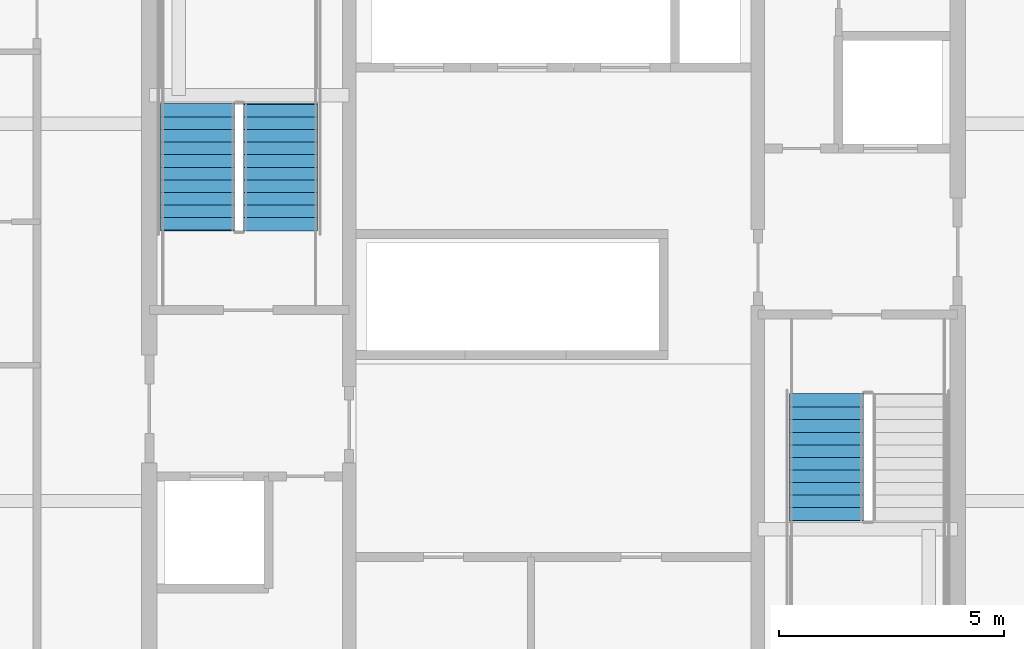
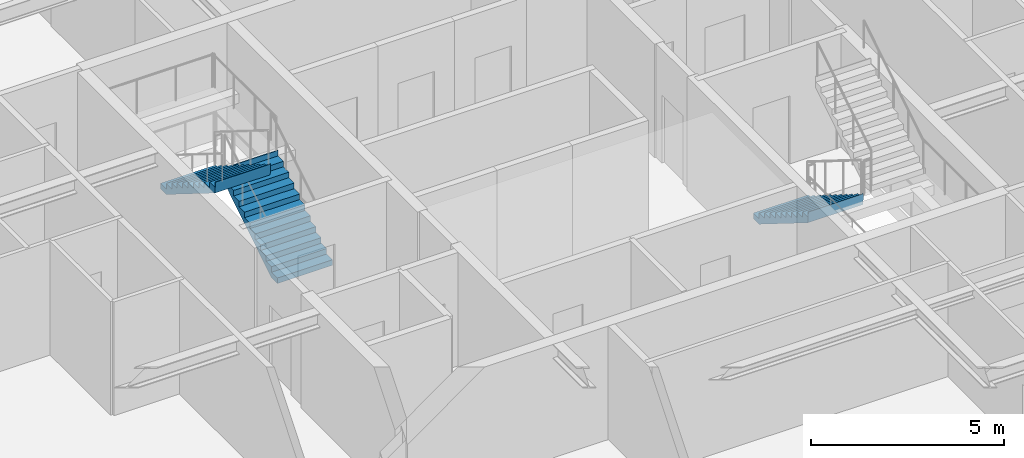
# One storey, part 29 of 35: 3 stair flights, 2 elements without a shape of their own.
"""IFC4 building model written with IfcOpenShell, lengths in metres."""

from ifc_helpers import new_model, si_unit, direction, frame, origin, place, context, subcontext, project, spatial, polygons, material, type_object, element, aggregate, save


model = new_model("IFC4")

# Units and contexts
model_context = context("Model", 3, precision=1e-05, world=origin(), true_north=direction((0.0, 1.0)))
body_context = subcontext(model_context, "Body", "Model", "MODEL_VIEW")
ifc_project = project(units=[si_unit("LENGTHUNIT", "METRE"), si_unit("AREAUNIT", "SQUARE_METRE"), si_unit("VOLUMEUNIT", "CUBIC_METRE"), si_unit("PLANEANGLEUNIT", "RADIAN"), si_unit("MASSUNIT", "GRAM", prefix="KILO")], contexts=[model_context])

# Site, building, storey
site_placement = place(None, origin())
site = spatial("IfcSite", under=ifc_project, at=site_placement, CompositionType="ELEMENT")
building_placement = place(site_placement, origin())
building = spatial("IfcBuilding", under=site, at=building_placement, Name="Serunith Strait Residences", CompositionType="ELEMENT")
storey_placement = place(building_placement, frame((0.0, 0.0, 210.449951171875)))
storey = spatial("IfcBuildingStorey", under=building, at=storey_placement, Name="L52", CompositionType="ELEMENT", Elevation=210.449951171875)

# Stair, stair flights
ifc_material = material(Name="Concrete C50/60", Category="concrete")
stair_type_1 = type_object("IfcStairType", Name="STR-CORE-1", PredefinedType="HALF_TURN_STAIR", material=ifc_material)
stair_1_placement = place(storey_placement, origin())
stair_1 = element("IfcStair", 1, at=stair_1_placement, inside=storey, type_object=stair_type_1, Name="L52 Protected Escape Stair ST-1", PredefinedType="HALF_TURN_STAIR")
stair_flight_type_1 = type_object("IfcStairFlightType", Name="FLT-CORE-1", PredefinedType="STRAIGHT", material=ifc_material)
stair_flight_1_placement = place(storey_placement, frame((26.324951171875, 27.030029296875, 0.0), z_axis=(0.0, 0.0, 1.0), x_axis=(0.0, 1.0, 0.0)))
stair_flight_1 = element("IfcStairFlight", 2, at=stair_flight_1_placement, type_object=stair_flight_type_1, Name="ST-1 flight 1", NumberOfRisers=11, NumberOfTreads=10, PredefinedType="STRAIGHT", RiserHeight=0.175, TreadLength=0.28, context=body_context, shape_type="Tessellation", body=[
    polygons([(-0.02001953125, -0.824951171875, 0.0), (-0.02001953125, -0.824951171875, 0.175048828125), (0.280029296875, -0.824951171875, 0.175048828125), (0.280029296875, -0.824951171875, 0.35009765625), (0.56005859375, -0.824951171875, 0.35009765625), (0.56005859375, -0.824951171875, 0.52490234375), (0.840087890625, -0.824951171875, 0.52490234375), (0.840087890625, -0.824951171875, 0.699951171875), (1.1201171875, -0.824951171875, 0.699951171875), (1.1201171875, -0.824951171875, 0.875), (1.39990234375, -0.824951171875, 0.875), (1.39990234375, -0.824951171875, 1.050048828125), (1.679931640625, -0.824951171875, 1.050048828125), (1.679931640625, -0.824951171875, 1.22509765625), (1.9599609375, -0.824951171875, 1.22509765625), (1.9599609375, -0.824951171875, 1.39990234375), (2.239990234375, -0.824951171875, 1.39990234375), (2.239990234375, -0.824951171875, 1.574951171875), (2.52001953125, -0.824951171875, 1.574951171875), (2.52001953125, -0.824951171875, 1.75), (2.800048828125, -0.824951171875, 1.75), (2.800048828125, -0.824951171875, 1.925048828125), (2.820068359375, -0.824951171875, 1.925048828125), (2.820068359375, -0.824951171875, 1.864990234375), (2.800048828125, -0.824951171875, 1.5732421875), (0.28271484375, -0.824951171875, 0.0), (-0.02001953125, -0.41259765625, 0.0), (-0.02001953125, -0.41259765625, 0.175048828125), (0.280029296875, -0.41259765625, 0.175048828125), (0.280029296875, -0.41259765625, 0.35009765625), (0.56005859375, -0.41259765625, 0.35009765625), (0.56005859375, -0.41259765625, 0.52490234375), (0.840087890625, -0.41259765625, 0.52490234375), (0.840087890625, -0.41259765625, 0.699951171875), (1.1201171875, -0.41259765625, 0.699951171875), (1.1201171875, -0.41259765625, 0.875), (1.39990234375, -0.41259765625, 0.875), (1.39990234375, -0.41259765625, 1.050048828125), (1.679931640625, -0.41259765625, 1.050048828125), (1.679931640625, -0.41259765625, 1.22509765625), (1.9599609375, -0.41259765625, 1.22509765625), (1.9599609375, -0.41259765625, 1.39990234375), (2.239990234375, -0.41259765625, 1.39990234375), (2.239990234375, -0.41259765625, 1.574951171875), (2.52001953125, -0.41259765625, 1.574951171875), (2.52001953125, -0.41259765625, 1.75), (2.800048828125, -0.41259765625, 1.75), (2.800048828125, -0.41259765625, 1.925048828125), (2.820068359375, -0.41259765625, 1.925048828125), (2.820068359375, -0.41259765625, 1.864990234375), (2.800048828125, -0.41259765625, 1.5732421875), (0.28271484375, -0.41259765625, 0.0), (-0.02001953125, 0.0, 0.0), (-0.02001953125, 0.0, 0.175048828125), (0.280029296875, 0.0, 0.175048828125), (0.280029296875, 0.0, 0.35009765625), (0.56005859375, 0.0, 0.35009765625), (0.56005859375, 0.0, 0.52490234375), (0.840087890625, 0.0, 0.52490234375), (0.840087890625, 0.0, 0.699951171875), (1.1201171875, 0.0, 0.699951171875), (1.1201171875, 0.0, 0.875), (1.39990234375, 0.0, 0.875), (1.39990234375, 0.0, 1.050048828125), (1.679931640625, 0.0, 1.050048828125), (1.679931640625, 0.0, 1.22509765625), (1.9599609375, 0.0, 1.22509765625), (1.9599609375, 0.0, 1.39990234375), (2.239990234375, 0.0, 1.39990234375), (2.239990234375, 0.0, 1.574951171875), (2.52001953125, 0.0, 1.574951171875), (2.52001953125, 0.0, 1.75), (2.800048828125, 0.0, 1.75), (2.800048828125, 0.0, 1.925048828125), (2.820068359375, 0.0, 1.925048828125), (2.820068359375, 0.0, 1.864990234375), (2.800048828125, 0.0, 1.5732421875), (0.28271484375, 0.0, 0.0), (-0.02001953125, 0.41259765625, 0.0), (-0.02001953125, 0.41259765625, 0.175048828125), (0.280029296875, 0.41259765625, 0.175048828125), (0.280029296875, 0.41259765625, 0.35009765625), (0.56005859375, 0.41259765625, 0.35009765625), (0.56005859375, 0.41259765625, 0.52490234375), (0.840087890625, 0.41259765625, 0.52490234375), (0.840087890625, 0.41259765625, 0.699951171875), (1.1201171875, 0.41259765625, 0.699951171875), (1.1201171875, 0.41259765625, 0.875), (1.39990234375, 0.41259765625, 0.875), (1.39990234375, 0.41259765625, 1.050048828125), (1.679931640625, 0.41259765625, 1.050048828125), (1.679931640625, 0.41259765625, 1.22509765625), (1.9599609375, 0.41259765625, 1.22509765625), (1.9599609375, 0.41259765625, 1.39990234375), (2.239990234375, 0.41259765625, 1.39990234375), (2.239990234375, 0.41259765625, 1.574951171875), (2.52001953125, 0.41259765625, 1.574951171875), (2.52001953125, 0.41259765625, 1.75), (2.800048828125, 0.41259765625, 1.75), (2.800048828125, 0.41259765625, 1.925048828125), (2.820068359375, 0.41259765625, 1.925048828125), (2.820068359375, 0.41259765625, 1.864990234375), (2.800048828125, 0.41259765625, 1.5732421875), (0.28271484375, 0.41259765625, 0.0), (-0.02001953125, 0.824951171875, 0.0), (-0.02001953125, 0.824951171875, 0.175048828125), (0.280029296875, 0.824951171875, 0.175048828125), (0.280029296875, 0.824951171875, 0.35009765625), (0.56005859375, 0.824951171875, 0.35009765625), (0.56005859375, 0.824951171875, 0.52490234375), (0.840087890625, 0.824951171875, 0.52490234375), (0.840087890625, 0.824951171875, 0.699951171875), (1.1201171875, 0.824951171875, 0.699951171875), (1.1201171875, 0.824951171875, 0.875), (1.39990234375, 0.824951171875, 0.875), (1.39990234375, 0.824951171875, 1.050048828125), (1.679931640625, 0.824951171875, 1.050048828125), (1.679931640625, 0.824951171875, 1.22509765625), (1.9599609375, 0.824951171875, 1.22509765625), (1.9599609375, 0.824951171875, 1.39990234375), (2.239990234375, 0.824951171875, 1.39990234375), (2.239990234375, 0.824951171875, 1.574951171875), (2.52001953125, 0.824951171875, 1.574951171875), (2.52001953125, 0.824951171875, 1.75), (2.800048828125, 0.824951171875, 1.75), (2.800048828125, 0.824951171875, 1.925048828125), (2.820068359375, 0.824951171875, 1.925048828125), (2.820068359375, 0.824951171875, 1.864990234375), (2.800048828125, 0.824951171875, 1.5732421875), (0.28271484375, 0.824951171875, 0.0)], [[[1, 2, 28, 27]], [[2, 3, 29, 28]], [[3, 4, 30, 29]], [[4, 5, 31, 30]], [[5, 6, 32, 31]], [[6, 7, 33, 32]], [[7, 8, 34, 33]], [[8, 9, 35, 34]], [[9, 10, 36, 35]], [[10, 11, 37, 36]], [[11, 12, 38, 37]], [[12, 13, 39, 38]], [[13, 14, 40, 39]], [[14, 15, 41, 40]], [[15, 16, 42, 41]], [[16, 17, 43, 42]], [[17, 18, 44, 43]], [[18, 19, 45, 44]], [[19, 20, 46, 45]], [[20, 21, 47, 46]], [[21, 22, 48, 47]], [[22, 23, 49, 48]], [[23, 24, 50, 49]], [[24, 25, 51, 50]], [[25, 26, 52, 51]], [[26, 1, 27, 52]], [[27, 28, 54, 53]], [[28, 29, 55, 54]], [[29, 30, 56, 55]], [[30, 31, 57, 56]], [[31, 32, 58, 57]], [[32, 33, 59, 58]], [[33, 34, 60, 59]], [[34, 35, 61, 60]], [[35, 36, 62, 61]], [[36, 37, 63, 62]], [[37, 38, 64, 63]], [[38, 39, 65, 64]], [[39, 40, 66, 65]], [[40, 41, 67, 66]], [[41, 42, 68, 67]], [[42, 43, 69, 68]], [[43, 44, 70, 69]], [[44, 45, 71, 70]], [[45, 46, 72, 71]], [[46, 47, 73, 72]], [[47, 48, 74, 73]], [[48, 49, 75, 74]], [[49, 50, 76, 75]], [[50, 51, 77, 76]], [[51, 52, 78, 77]], [[52, 27, 53, 78]], [[53, 54, 80, 79]], [[54, 55, 81, 80]], [[55, 56, 82, 81]], [[56, 57, 83, 82]], [[57, 58, 84, 83]], [[58, 59, 85, 84]], [[59, 60, 86, 85]], [[60, 61, 87, 86]], [[61, 62, 88, 87]], [[62, 63, 89, 88]], [[63, 64, 90, 89]], [[64, 65, 91, 90]], [[65, 66, 92, 91]], [[66, 67, 93, 92]], [[67, 68, 94, 93]], [[68, 69, 95, 94]], [[69, 70, 96, 95]], [[70, 71, 97, 96]], [[71, 72, 98, 97]], [[72, 73, 99, 98]], [[73, 74, 100, 99]], [[74, 75, 101, 100]], [[75, 76, 102, 101]], [[76, 77, 103, 102]], [[77, 78, 104, 103]], [[78, 53, 79, 104]], [[79, 80, 106, 105]], [[80, 81, 107, 106]], [[81, 82, 108, 107]], [[82, 83, 109, 108]], [[83, 84, 110, 109]], [[84, 85, 111, 110]], [[85, 86, 112, 111]], [[86, 87, 113, 112]], [[87, 88, 114, 113]], [[88, 89, 115, 114]], [[89, 90, 116, 115]], [[90, 91, 117, 116]], [[91, 92, 118, 117]], [[92, 93, 119, 118]], [[93, 94, 120, 119]], [[94, 95, 121, 120]], [[95, 96, 122, 121]], [[96, 97, 123, 122]], [[97, 98, 124, 123]], [[98, 99, 125, 124]], [[99, 100, 126, 125]], [[100, 101, 127, 126]], [[101, 102, 128, 127]], [[102, 103, 129, 128]], [[103, 104, 130, 129]], [[104, 79, 105, 130]], [[26, 25, 24, 23, 22, 21, 20, 19, 18, 17, 16, 15, 14, 13, 12, 11, 10, 9, 8, 7, 6, 5, 4, 3, 2, 1]], [[105, 106, 107, 108, 109, 110, 111, 112, 113, 114, 115, 116, 117, 118, 119, 120, 121, 122, 123, 124, 125, 126, 127, 128, 129, 130]]], closed=True),
])
stair_flight_2_placement = place(storey_placement, frame((24.47509765625, 29.830078125, 1.925048828125), z_axis=(0.0, 0.0, 1.0), x_axis=(0.0, -1.0, 0.0)))
stair_flight_2 = element("IfcStairFlight", 3, at=stair_flight_2_placement, type_object=stair_flight_type_1, Name="ST-1 flight 2", NumberOfRisers=11, NumberOfTreads=10, PredefinedType="STRAIGHT", RiserHeight=0.175, TreadLength=0.28, context=body_context, shape_type="Tessellation", body=[
    polygons([(-0.02001953125, -0.824951171875, 0.0), (-0.02001953125, -0.824951171875, 0.175048828125), (0.280029296875, -0.824951171875, 0.175048828125), (0.280029296875, -0.824951171875, 0.35009765625), (0.56005859375, -0.824951171875, 0.35009765625), (0.56005859375, -0.824951171875, 0.52490234375), (0.840087890625, -0.824951171875, 0.52490234375), (0.840087890625, -0.824951171875, 0.699951171875), (1.1201171875, -0.824951171875, 0.699951171875), (1.1201171875, -0.824951171875, 0.875), (1.39990234375, -0.824951171875, 0.875), (1.39990234375, -0.824951171875, 1.050048828125), (1.679931640625, -0.824951171875, 1.050048828125), (1.679931640625, -0.824951171875, 1.22509765625), (1.9599609375, -0.824951171875, 1.22509765625), (1.9599609375, -0.824951171875, 1.39990234375), (2.239990234375, -0.824951171875, 1.39990234375), (2.239990234375, -0.824951171875, 1.574951171875), (2.52001953125, -0.824951171875, 1.574951171875), (2.52001953125, -0.824951171875, 1.75), (2.800048828125, -0.824951171875, 1.75), (2.800048828125, -0.824951171875, 1.925048828125), (2.820068359375, -0.824951171875, 1.925048828125), (2.820068359375, -0.824951171875, 1.864990234375), (2.800048828125, -0.824951171875, 1.5732421875), (0.28271484375, -0.824951171875, 0.0), (-0.02001953125, -0.41259765625, 0.0), (-0.02001953125, -0.41259765625, 0.175048828125), (0.280029296875, -0.41259765625, 0.175048828125), (0.280029296875, -0.41259765625, 0.35009765625), (0.56005859375, -0.41259765625, 0.35009765625), (0.56005859375, -0.41259765625, 0.52490234375), (0.840087890625, -0.41259765625, 0.52490234375), (0.840087890625, -0.41259765625, 0.699951171875), (1.1201171875, -0.41259765625, 0.699951171875), (1.1201171875, -0.41259765625, 0.875), (1.39990234375, -0.41259765625, 0.875), (1.39990234375, -0.41259765625, 1.050048828125), (1.679931640625, -0.41259765625, 1.050048828125), (1.679931640625, -0.41259765625, 1.22509765625), (1.9599609375, -0.41259765625, 1.22509765625), (1.9599609375, -0.41259765625, 1.39990234375), (2.239990234375, -0.41259765625, 1.39990234375), (2.239990234375, -0.41259765625, 1.574951171875), (2.52001953125, -0.41259765625, 1.574951171875), (2.52001953125, -0.41259765625, 1.75), (2.800048828125, -0.41259765625, 1.75), (2.800048828125, -0.41259765625, 1.925048828125), (2.820068359375, -0.41259765625, 1.925048828125), (2.820068359375, -0.41259765625, 1.864990234375), (2.800048828125, -0.41259765625, 1.5732421875), (0.28271484375, -0.41259765625, 0.0), (-0.02001953125, 0.0, 0.0), (-0.02001953125, 0.0, 0.175048828125), (0.280029296875, 0.0, 0.175048828125), (0.280029296875, 0.0, 0.35009765625), (0.56005859375, 0.0, 0.35009765625), (0.56005859375, 0.0, 0.52490234375), (0.840087890625, 0.0, 0.52490234375), (0.840087890625, 0.0, 0.699951171875), (1.1201171875, 0.0, 0.699951171875), (1.1201171875, 0.0, 0.875), (1.39990234375, 0.0, 0.875), (1.39990234375, 0.0, 1.050048828125), (1.679931640625, 0.0, 1.050048828125), (1.679931640625, 0.0, 1.22509765625), (1.9599609375, 0.0, 1.22509765625), (1.9599609375, 0.0, 1.39990234375), (2.239990234375, 0.0, 1.39990234375), (2.239990234375, 0.0, 1.574951171875), (2.52001953125, 0.0, 1.574951171875), (2.52001953125, 0.0, 1.75), (2.800048828125, 0.0, 1.75), (2.800048828125, 0.0, 1.925048828125), (2.820068359375, 0.0, 1.925048828125), (2.820068359375, 0.0, 1.864990234375), (2.800048828125, 0.0, 1.5732421875), (0.28271484375, 0.0, 0.0), (-0.02001953125, 0.41259765625, 0.0), (-0.02001953125, 0.41259765625, 0.175048828125), (0.280029296875, 0.41259765625, 0.175048828125), (0.280029296875, 0.41259765625, 0.35009765625), (0.56005859375, 0.41259765625, 0.35009765625), (0.56005859375, 0.41259765625, 0.52490234375), (0.840087890625, 0.41259765625, 0.52490234375), (0.840087890625, 0.41259765625, 0.699951171875), (1.1201171875, 0.41259765625, 0.699951171875), (1.1201171875, 0.41259765625, 0.875), (1.39990234375, 0.41259765625, 0.875), (1.39990234375, 0.41259765625, 1.050048828125), (1.679931640625, 0.41259765625, 1.050048828125), (1.679931640625, 0.41259765625, 1.22509765625), (1.9599609375, 0.41259765625, 1.22509765625), (1.9599609375, 0.41259765625, 1.39990234375), (2.239990234375, 0.41259765625, 1.39990234375), (2.239990234375, 0.41259765625, 1.574951171875), (2.52001953125, 0.41259765625, 1.574951171875), (2.52001953125, 0.41259765625, 1.75), (2.800048828125, 0.41259765625, 1.75), (2.800048828125, 0.41259765625, 1.925048828125), (2.820068359375, 0.41259765625, 1.925048828125), (2.820068359375, 0.41259765625, 1.864990234375), (2.800048828125, 0.41259765625, 1.5732421875), (0.28271484375, 0.41259765625, 0.0), (-0.02001953125, 0.824951171875, 0.0), (-0.02001953125, 0.824951171875, 0.175048828125), (0.280029296875, 0.824951171875, 0.175048828125), (0.280029296875, 0.824951171875, 0.35009765625), (0.56005859375, 0.824951171875, 0.35009765625), (0.56005859375, 0.824951171875, 0.52490234375), (0.840087890625, 0.824951171875, 0.52490234375), (0.840087890625, 0.824951171875, 0.699951171875), (1.1201171875, 0.824951171875, 0.699951171875), (1.1201171875, 0.824951171875, 0.875), (1.39990234375, 0.824951171875, 0.875), (1.39990234375, 0.824951171875, 1.050048828125), (1.679931640625, 0.824951171875, 1.050048828125), (1.679931640625, 0.824951171875, 1.22509765625), (1.9599609375, 0.824951171875, 1.22509765625), (1.9599609375, 0.824951171875, 1.39990234375), (2.239990234375, 0.824951171875, 1.39990234375), (2.239990234375, 0.824951171875, 1.574951171875), (2.52001953125, 0.824951171875, 1.574951171875), (2.52001953125, 0.824951171875, 1.75), (2.800048828125, 0.824951171875, 1.75), (2.800048828125, 0.824951171875, 1.925048828125), (2.820068359375, 0.824951171875, 1.925048828125), (2.820068359375, 0.824951171875, 1.864990234375), (2.800048828125, 0.824951171875, 1.5732421875), (0.28271484375, 0.824951171875, 0.0)], [[[1, 2, 28, 27]], [[2, 3, 29, 28]], [[3, 4, 30, 29]], [[4, 5, 31, 30]], [[5, 6, 32, 31]], [[6, 7, 33, 32]], [[7, 8, 34, 33]], [[8, 9, 35, 34]], [[9, 10, 36, 35]], [[10, 11, 37, 36]], [[11, 12, 38, 37]], [[12, 13, 39, 38]], [[13, 14, 40, 39]], [[14, 15, 41, 40]], [[15, 16, 42, 41]], [[16, 17, 43, 42]], [[17, 18, 44, 43]], [[18, 19, 45, 44]], [[19, 20, 46, 45]], [[20, 21, 47, 46]], [[21, 22, 48, 47]], [[22, 23, 49, 48]], [[23, 24, 50, 49]], [[24, 25, 51, 50]], [[25, 26, 52, 51]], [[26, 1, 27, 52]], [[27, 28, 54, 53]], [[28, 29, 55, 54]], [[29, 30, 56, 55]], [[30, 31, 57, 56]], [[31, 32, 58, 57]], [[32, 33, 59, 58]], [[33, 34, 60, 59]], [[34, 35, 61, 60]], [[35, 36, 62, 61]], [[36, 37, 63, 62]], [[37, 38, 64, 63]], [[38, 39, 65, 64]], [[39, 40, 66, 65]], [[40, 41, 67, 66]], [[41, 42, 68, 67]], [[42, 43, 69, 68]], [[43, 44, 70, 69]], [[44, 45, 71, 70]], [[45, 46, 72, 71]], [[46, 47, 73, 72]], [[47, 48, 74, 73]], [[48, 49, 75, 74]], [[49, 50, 76, 75]], [[50, 51, 77, 76]], [[51, 52, 78, 77]], [[52, 27, 53, 78]], [[53, 54, 80, 79]], [[54, 55, 81, 80]], [[55, 56, 82, 81]], [[56, 57, 83, 82]], [[57, 58, 84, 83]], [[58, 59, 85, 84]], [[59, 60, 86, 85]], [[60, 61, 87, 86]], [[61, 62, 88, 87]], [[62, 63, 89, 88]], [[63, 64, 90, 89]], [[64, 65, 91, 90]], [[65, 66, 92, 91]], [[66, 67, 93, 92]], [[67, 68, 94, 93]], [[68, 69, 95, 94]], [[69, 70, 96, 95]], [[70, 71, 97, 96]], [[71, 72, 98, 97]], [[72, 73, 99, 98]], [[73, 74, 100, 99]], [[74, 75, 101, 100]], [[75, 76, 102, 101]], [[76, 77, 103, 102]], [[77, 78, 104, 103]], [[78, 53, 79, 104]], [[79, 80, 106, 105]], [[80, 81, 107, 106]], [[81, 82, 108, 107]], [[82, 83, 109, 108]], [[83, 84, 110, 109]], [[84, 85, 111, 110]], [[85, 86, 112, 111]], [[86, 87, 113, 112]], [[87, 88, 114, 113]], [[88, 89, 115, 114]], [[89, 90, 116, 115]], [[90, 91, 117, 116]], [[91, 92, 118, 117]], [[92, 93, 119, 118]], [[93, 94, 120, 119]], [[94, 95, 121, 120]], [[95, 96, 122, 121]], [[96, 97, 123, 122]], [[97, 98, 124, 123]], [[98, 99, 125, 124]], [[99, 100, 126, 125]], [[100, 101, 127, 126]], [[101, 102, 128, 127]], [[102, 103, 129, 128]], [[103, 104, 130, 129]], [[104, 79, 105, 130]], [[26, 25, 24, 23, 22, 21, 20, 19, 18, 17, 16, 15, 14, 13, 12, 11, 10, 9, 8, 7, 6, 5, 4, 3, 2, 1]], [[105, 106, 107, 108, 109, 110, 111, 112, 113, 114, 115, 116, 117, 118, 119, 120, 121, 122, 123, 124, 125, 126, 127, 128, 129, 130]]], closed=True),
])
aggregate(stair_1, [stair_flight_1, stair_flight_2])

# Stair, stair flight
stair_type_2 = type_object("IfcStairType", Name="STR-CORE-2", PredefinedType="HALF_TURN_STAIR", material=ifc_material)
stair_2_placement = place(storey_placement, origin())
stair_2 = element("IfcStair", 4, at=stair_2_placement, inside=storey, type_object=stair_type_2, Name="L52 Protected Escape Stair ST-2", PredefinedType="HALF_TURN_STAIR")
stair_flight_type_2 = type_object("IfcStairFlightType", Name="FLT-CORE-2", PredefinedType="STRAIGHT", material=ifc_material)
stair_flight_3_placement = place(storey_placement, frame((38.47509765625, 23.3701171875, 0.0), z_axis=(0.0, 0.0, 1.0), x_axis=(0.0, -1.0, 0.0)))
stair_flight_3 = element("IfcStairFlight", 5, at=stair_flight_3_placement, type_object=stair_flight_type_2, Name="ST-2 flight 1", NumberOfRisers=11, NumberOfTreads=10, PredefinedType="STRAIGHT", RiserHeight=0.175, TreadLength=0.28, context=body_context, shape_type="Tessellation", body=[
    polygons([(-0.02001953125, -0.824951171875, 0.0), (-0.02001953125, -0.824951171875, 0.175048828125), (0.280029296875, -0.824951171875, 0.175048828125), (0.280029296875, -0.824951171875, 0.35009765625), (0.56005859375, -0.824951171875, 0.35009765625), (0.56005859375, -0.824951171875, 0.52490234375), (0.840087890625, -0.824951171875, 0.52490234375), (0.840087890625, -0.824951171875, 0.699951171875), (1.1201171875, -0.824951171875, 0.699951171875), (1.1201171875, -0.824951171875, 0.875), (1.39990234375, -0.824951171875, 0.875), (1.39990234375, -0.824951171875, 1.050048828125), (1.679931640625, -0.824951171875, 1.050048828125), (1.679931640625, -0.824951171875, 1.22509765625), (1.9599609375, -0.824951171875, 1.22509765625), (1.9599609375, -0.824951171875, 1.39990234375), (2.239990234375, -0.824951171875, 1.39990234375), (2.239990234375, -0.824951171875, 1.574951171875), (2.52001953125, -0.824951171875, 1.574951171875), (2.52001953125, -0.824951171875, 1.75), (2.800048828125, -0.824951171875, 1.75), (2.800048828125, -0.824951171875, 1.925048828125), (2.820068359375, -0.824951171875, 1.925048828125), (2.820068359375, -0.824951171875, 1.864990234375), (2.800048828125, -0.824951171875, 1.5732421875), (0.28271484375, -0.824951171875, 0.0), (-0.02001953125, -0.41259765625, 0.0), (-0.02001953125, -0.41259765625, 0.175048828125), (0.280029296875, -0.41259765625, 0.175048828125), (0.280029296875, -0.41259765625, 0.35009765625), (0.56005859375, -0.41259765625, 0.35009765625), (0.56005859375, -0.41259765625, 0.52490234375), (0.840087890625, -0.41259765625, 0.52490234375), (0.840087890625, -0.41259765625, 0.699951171875), (1.1201171875, -0.41259765625, 0.699951171875), (1.1201171875, -0.41259765625, 0.875), (1.39990234375, -0.41259765625, 0.875), (1.39990234375, -0.41259765625, 1.050048828125), (1.679931640625, -0.41259765625, 1.050048828125), (1.679931640625, -0.41259765625, 1.22509765625), (1.9599609375, -0.41259765625, 1.22509765625), (1.9599609375, -0.41259765625, 1.39990234375), (2.239990234375, -0.41259765625, 1.39990234375), (2.239990234375, -0.41259765625, 1.574951171875), (2.52001953125, -0.41259765625, 1.574951171875), (2.52001953125, -0.41259765625, 1.75), (2.800048828125, -0.41259765625, 1.75), (2.800048828125, -0.41259765625, 1.925048828125), (2.820068359375, -0.41259765625, 1.925048828125), (2.820068359375, -0.41259765625, 1.864990234375), (2.800048828125, -0.41259765625, 1.5732421875), (0.28271484375, -0.41259765625, 0.0), (-0.02001953125, 0.0, 0.0), (-0.02001953125, 0.0, 0.175048828125), (0.280029296875, 0.0, 0.175048828125), (0.280029296875, 0.0, 0.35009765625), (0.56005859375, 0.0, 0.35009765625), (0.56005859375, 0.0, 0.52490234375), (0.840087890625, 0.0, 0.52490234375), (0.840087890625, 0.0, 0.699951171875), (1.1201171875, 0.0, 0.699951171875), (1.1201171875, 0.0, 0.875), (1.39990234375, 0.0, 0.875), (1.39990234375, 0.0, 1.050048828125), (1.679931640625, 0.0, 1.050048828125), (1.679931640625, 0.0, 1.22509765625), (1.9599609375, 0.0, 1.22509765625), (1.9599609375, 0.0, 1.39990234375), (2.239990234375, 0.0, 1.39990234375), (2.239990234375, 0.0, 1.574951171875), (2.52001953125, 0.0, 1.574951171875), (2.52001953125, 0.0, 1.75), (2.800048828125, 0.0, 1.75), (2.800048828125, 0.0, 1.925048828125), (2.820068359375, 0.0, 1.925048828125), (2.820068359375, 0.0, 1.864990234375), (2.800048828125, 0.0, 1.5732421875), (0.28271484375, 0.0, 0.0), (-0.02001953125, 0.41259765625, 0.0), (-0.02001953125, 0.41259765625, 0.175048828125), (0.280029296875, 0.41259765625, 0.175048828125), (0.280029296875, 0.41259765625, 0.35009765625), (0.56005859375, 0.41259765625, 0.35009765625), (0.56005859375, 0.41259765625, 0.52490234375), (0.840087890625, 0.41259765625, 0.52490234375), (0.840087890625, 0.41259765625, 0.699951171875), (1.1201171875, 0.41259765625, 0.699951171875), (1.1201171875, 0.41259765625, 0.875), (1.39990234375, 0.41259765625, 0.875), (1.39990234375, 0.41259765625, 1.050048828125), (1.679931640625, 0.41259765625, 1.050048828125), (1.679931640625, 0.41259765625, 1.22509765625), (1.9599609375, 0.41259765625, 1.22509765625), (1.9599609375, 0.41259765625, 1.39990234375), (2.239990234375, 0.41259765625, 1.39990234375), (2.239990234375, 0.41259765625, 1.574951171875), (2.52001953125, 0.41259765625, 1.574951171875), (2.52001953125, 0.41259765625, 1.75), (2.800048828125, 0.41259765625, 1.75), (2.800048828125, 0.41259765625, 1.925048828125), (2.820068359375, 0.41259765625, 1.925048828125), (2.820068359375, 0.41259765625, 1.864990234375), (2.800048828125, 0.41259765625, 1.5732421875), (0.28271484375, 0.41259765625, 0.0), (-0.02001953125, 0.824951171875, 0.0), (-0.02001953125, 0.824951171875, 0.175048828125), (0.280029296875, 0.824951171875, 0.175048828125), (0.280029296875, 0.824951171875, 0.35009765625), (0.56005859375, 0.824951171875, 0.35009765625), (0.56005859375, 0.824951171875, 0.52490234375), (0.840087890625, 0.824951171875, 0.52490234375), (0.840087890625, 0.824951171875, 0.699951171875), (1.1201171875, 0.824951171875, 0.699951171875), (1.1201171875, 0.824951171875, 0.875), (1.39990234375, 0.824951171875, 0.875), (1.39990234375, 0.824951171875, 1.050048828125), (1.679931640625, 0.824951171875, 1.050048828125), (1.679931640625, 0.824951171875, 1.22509765625), (1.9599609375, 0.824951171875, 1.22509765625), (1.9599609375, 0.824951171875, 1.39990234375), (2.239990234375, 0.824951171875, 1.39990234375), (2.239990234375, 0.824951171875, 1.574951171875), (2.52001953125, 0.824951171875, 1.574951171875), (2.52001953125, 0.824951171875, 1.75), (2.800048828125, 0.824951171875, 1.75), (2.800048828125, 0.824951171875, 1.925048828125), (2.820068359375, 0.824951171875, 1.925048828125), (2.820068359375, 0.824951171875, 1.864990234375), (2.800048828125, 0.824951171875, 1.5732421875), (0.28271484375, 0.824951171875, 0.0)], [[[1, 2, 28, 27]], [[2, 3, 29, 28]], [[3, 4, 30, 29]], [[4, 5, 31, 30]], [[5, 6, 32, 31]], [[6, 7, 33, 32]], [[7, 8, 34, 33]], [[8, 9, 35, 34]], [[9, 10, 36, 35]], [[10, 11, 37, 36]], [[11, 12, 38, 37]], [[12, 13, 39, 38]], [[13, 14, 40, 39]], [[14, 15, 41, 40]], [[15, 16, 42, 41]], [[16, 17, 43, 42]], [[17, 18, 44, 43]], [[18, 19, 45, 44]], [[19, 20, 46, 45]], [[20, 21, 47, 46]], [[21, 22, 48, 47]], [[22, 23, 49, 48]], [[23, 24, 50, 49]], [[24, 25, 51, 50]], [[25, 26, 52, 51]], [[26, 1, 27, 52]], [[27, 28, 54, 53]], [[28, 29, 55, 54]], [[29, 30, 56, 55]], [[30, 31, 57, 56]], [[31, 32, 58, 57]], [[32, 33, 59, 58]], [[33, 34, 60, 59]], [[34, 35, 61, 60]], [[35, 36, 62, 61]], [[36, 37, 63, 62]], [[37, 38, 64, 63]], [[38, 39, 65, 64]], [[39, 40, 66, 65]], [[40, 41, 67, 66]], [[41, 42, 68, 67]], [[42, 43, 69, 68]], [[43, 44, 70, 69]], [[44, 45, 71, 70]], [[45, 46, 72, 71]], [[46, 47, 73, 72]], [[47, 48, 74, 73]], [[48, 49, 75, 74]], [[49, 50, 76, 75]], [[50, 51, 77, 76]], [[51, 52, 78, 77]], [[52, 27, 53, 78]], [[53, 54, 80, 79]], [[54, 55, 81, 80]], [[55, 56, 82, 81]], [[56, 57, 83, 82]], [[57, 58, 84, 83]], [[58, 59, 85, 84]], [[59, 60, 86, 85]], [[60, 61, 87, 86]], [[61, 62, 88, 87]], [[62, 63, 89, 88]], [[63, 64, 90, 89]], [[64, 65, 91, 90]], [[65, 66, 92, 91]], [[66, 67, 93, 92]], [[67, 68, 94, 93]], [[68, 69, 95, 94]], [[69, 70, 96, 95]], [[70, 71, 97, 96]], [[71, 72, 98, 97]], [[72, 73, 99, 98]], [[73, 74, 100, 99]], [[74, 75, 101, 100]], [[75, 76, 102, 101]], [[76, 77, 103, 102]], [[77, 78, 104, 103]], [[78, 53, 79, 104]], [[79, 80, 106, 105]], [[80, 81, 107, 106]], [[81, 82, 108, 107]], [[82, 83, 109, 108]], [[83, 84, 110, 109]], [[84, 85, 111, 110]], [[85, 86, 112, 111]], [[86, 87, 113, 112]], [[87, 88, 114, 113]], [[88, 89, 115, 114]], [[89, 90, 116, 115]], [[90, 91, 117, 116]], [[91, 92, 118, 117]], [[92, 93, 119, 118]], [[93, 94, 120, 119]], [[94, 95, 121, 120]], [[95, 96, 122, 121]], [[96, 97, 123, 122]], [[97, 98, 124, 123]], [[98, 99, 125, 124]], [[99, 100, 126, 125]], [[100, 101, 127, 126]], [[101, 102, 128, 127]], [[102, 103, 129, 128]], [[103, 104, 130, 129]], [[104, 79, 105, 130]], [[26, 25, 24, 23, 22, 21, 20, 19, 18, 17, 16, 15, 14, 13, 12, 11, 10, 9, 8, 7, 6, 5, 4, 3, 2, 1]], [[105, 106, 107, 108, 109, 110, 111, 112, 113, 114, 115, 116, 117, 118, 119, 120, 121, 122, 123, 124, 125, 126, 127, 128, 129, 130]]], closed=True),
])
aggregate(stair_2, [stair_flight_3])

save(model, "model.ifc")
